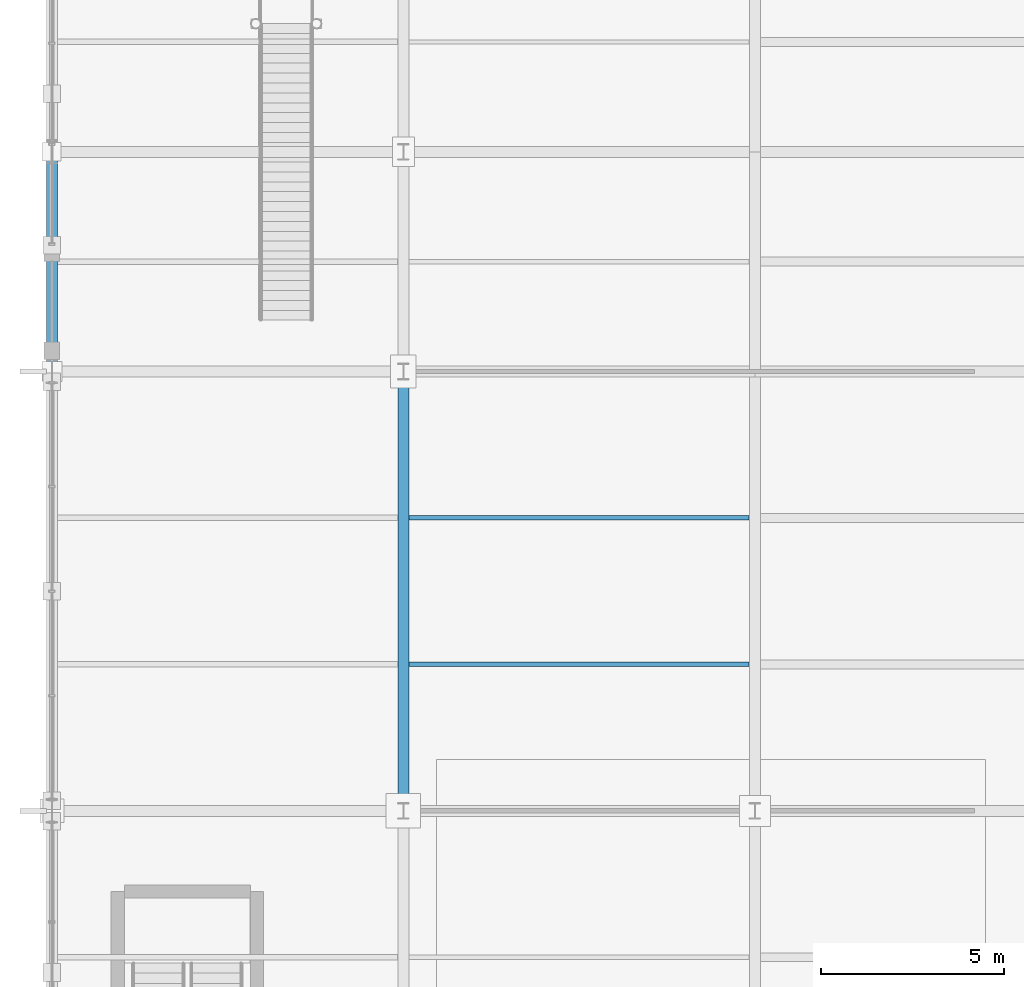
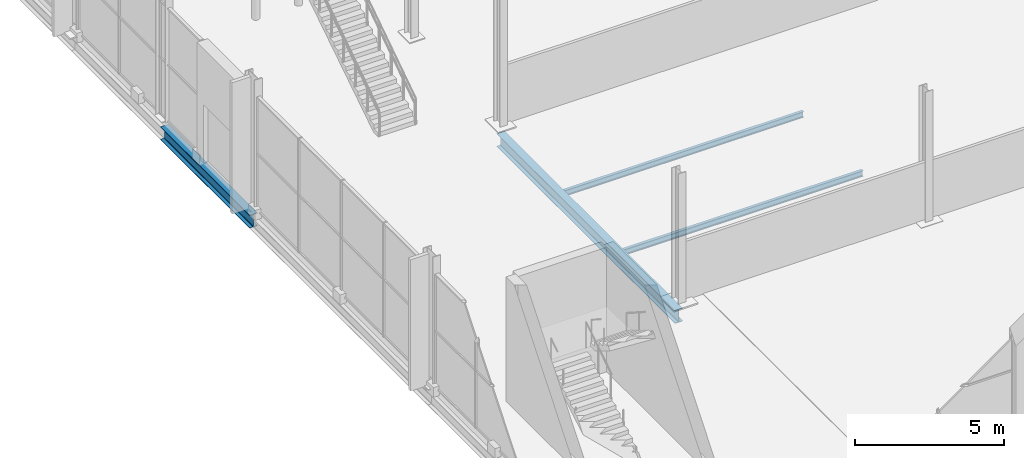
# One storey, part 47 of 196: 4 beams.
"""IFC4 building model written with IfcOpenShell, lengths in metres."""

import ifcopenshell
import ifcopenshell.guid

model = None  # the IFC model being written
_history = None  # IfcOwnerHistory: only IFC2X3 demands one
_inside = {}  # id of a spatial element -> (the spatial element, [elements in it])
_under = {}  # id of a project, library or spatial element -> (it, [spatial elements below it])
_declared = {}  # id of a project -> (the project, [libraries it declares])
_typed = {}  # id of a type object -> (the type object, [elements of that type])
_made_of = {}  # id of a material, layer set ... -> (it, [elements and type objects made of it])


def new_model(schema):
    """Start an empty IFC model of exactly this schema.

    Asked for "IFC4X3", IfcOpenShell would pick the latest addendum, in which some entities
    have other attributes; the version numbers below select the first issue.
    IFC2X3 requires an IfcOwnerHistory on every rooted entity: one is made here for all.
    """
    global model, _history
    if schema == "IFC4X3":
        model = ifcopenshell.file(schema_version=(4, 3, 0, 0))
    else:
        model = ifcopenshell.file(schema=schema)
    _inside.clear()
    _under.clear()
    _declared.clear()
    _typed.clear()
    _made_of.clear()
    _history = None
    if model.schema == "IFC2X3":
        org = make("IfcOrganization", Name="unknown")
        user = make(
            "IfcPersonAndOrganization",
            ThePerson=make("IfcPerson", FamilyName="unknown"),
            TheOrganization=org,
        )
        app = make(
            "IfcApplication",
            ApplicationDeveloper=org,
            Version="unknown",
            ApplicationFullName="unknown",
            ApplicationIdentifier="unknown",
        )
        _history = make(
            "IfcOwnerHistory",
            OwningUser=user,
            OwningApplication=app,
            ChangeAction="ADDED",
            CreationDate=0,
        )
    return model


def make(cls, **values):
    """One entity of the class cls with the attributes given. An attribute that is None is left unset."""
    return model.create_entity(
        cls, **{name: value for name, value in values.items() if value is not None}
    )


def rooted(cls, **values):
    """An entity with a GlobalId (a new one), such as an element, a storey or a relation."""
    return make(cls, GlobalId=ifcopenshell.guid.new(), OwnerHistory=_history, **values)


def si_unit(unit_type, name, prefix=None):
    """IfcSIUnit, for example si_unit("LENGTHUNIT", "METRE", prefix="MILLI")."""
    return make("IfcSIUnit", UnitType=unit_type, Prefix=prefix, Name=name)


def assignment(units):
    """IfcUnitAssignment: the units of a project."""
    return None if units is None else make("IfcUnitAssignment", Units=units)


def point(xyz):
    """IfcCartesianPoint."""
    return None if xyz is None else make("IfcCartesianPoint", Coordinates=xyz)


def direction(xyz):
    """IfcDirection."""
    return None if xyz is None else make("IfcDirection", DirectionRatios=xyz)


def frame(location, z_axis=None, x_axis=None):
    """IfcAxis2Placement3D, a coordinate frame: its origin and axes. An axis left out is left unset."""
    return make(
        "IfcAxis2Placement3D",
        Location=point(location),
        Axis=direction(z_axis),
        RefDirection=direction(x_axis),
    )


def frame_2d(location, x_axis=None):
    """IfcAxis2Placement2D, a coordinate frame in the plane: its origin and x axis."""
    return make(
        "IfcAxis2Placement2D", Location=point(location), RefDirection=direction(x_axis)
    )


def origin():
    """The frame at (0, 0, 0) with its axes left unset."""
    return frame((0.0, 0.0, 0.0))


def origin_2d():
    """The frame at (0, 0) in the plane with its x axis left unset."""
    return frame_2d((0.0, 0.0))


def place(relative_to, where):
    """IfcLocalPlacement: puts the frame where relative to a parent placement (None: the world)."""
    return make(
        "IfcLocalPlacement", PlacementRelTo=relative_to, RelativePlacement=where
    )


def context(
    kind, dimensions, precision=None, world=None, true_north=None, identifier=None
):
    """IfcGeometricRepresentationContext, for example the 3D "Model" context."""
    return make(
        "IfcGeometricRepresentationContext",
        ContextIdentifier=identifier,
        ContextType=kind,
        CoordinateSpaceDimension=dimensions,
        Precision=precision,
        WorldCoordinateSystem=world,
        TrueNorth=true_north,
    )


def subcontext(parent, identifier, kind, view, scale=None):
    """IfcGeometricRepresentationSubContext, for example "Body" below "Model"."""
    return make(
        "IfcGeometricRepresentationSubContext",
        ContextIdentifier=identifier,
        ContextType=kind,
        ParentContext=parent,
        TargetScale=scale,
        TargetView=view,
    )


def project(units=None, contexts=None):
    """IfcProject with its units and contexts."""
    return rooted(
        "IfcProject",
        Name="project",
        RepresentationContexts=contexts,
        UnitsInContext=assignment(units),
    )


def spatial(cls, under=None, at=None, **own):
    """A site, building, storey or space (cls), placed at a placement, below another one or the project."""
    s = rooted(cls, ObjectPlacement=at, **own)
    if under is not None:
        _under.setdefault(under.id(), (under, []))[1].append(s)
    return s


def profile(cls, at=None, kind="AREA", **sizes):
    """A parametric profile (cls). Its sizes go by their IFC names, for example OverallWidth=200.0."""
    return make(cls, ProfileType=kind, Position=at, **sizes)


def i_section(**sizes):
    """IfcIShapeProfileDef."""
    return profile("IfcIShapeProfileDef", **sizes)


def extrude(swept, where, along, depth):
    """IfcExtrudedAreaSolid: the profile swept, set in the frame where, extruded along a direction by depth."""
    return make(
        "IfcExtrudedAreaSolid",
        SweptArea=swept,
        Position=where,
        ExtrudedDirection=direction(along),
        Depth=depth,
    )


def shape(context_of_items, identifier, shape_type, items):
    """IfcShapeRepresentation: the items that make up one representation, for example the "Body"."""
    return make(
        "IfcShapeRepresentation",
        ContextOfItems=context_of_items,
        RepresentationIdentifier=identifier,
        RepresentationType=shape_type,
        Items=items,
    )


def material(Name=None, Category=None):
    """IfcMaterial."""
    return make("IfcMaterial", Name=Name, Category=Category)


def material_profile(
    of_material, cross_section, Name=None, Category=None, Priority=None
):
    """IfcMaterialProfile: a cross section and its material."""
    return make(
        "IfcMaterialProfile",
        Name=Name,
        Material=of_material,
        Profile=cross_section,
        Priority=Priority,
        Category=Category,
    )


def profile_set(profiles, Name=None, composite=None):
    """IfcMaterialProfileSet."""
    return make(
        "IfcMaterialProfileSet",
        Name=Name,
        MaterialProfiles=profiles,
        CompositeProfile=composite,
    )


def made_of(thing, what):
    """Note that an element or type object is made of a material, layer set ...; save() writes the relation."""
    if what is not None:
        _made_of.setdefault(what.id(), (what, []))[1].append(thing)
    return thing


def type_object(cls, material=None, **own):
    """A type object (cls), such as IfcWallType, which elements share."""
    return made_of(rooted(cls, **own), material)


def element(
    cls,
    number,
    at=None,
    inside=None,
    cuts=None,
    type_object=None,
    material=None,
    context=None,
    identifier="Body",
    shape_type=None,
    held_by="IfcProductDefinitionShape",
    body=None,
    shapes=None,
    **own,
):
    """One element of the class cls, such as IfcWall. Its Tag is "e" and its number.

    at: its placement. inside: the storey or other place that contains it. cuts: it is an
    opening in that element (IfcRelVoidsElement). A single representation is given by context,
    identifier, shape_type and body (its items); several are given by shapes. held_by: the class
    of the entity that holds the representations. save() writes the other relations.
    """
    e = rooted(cls, Tag="e%d" % number, ObjectPlacement=at, **own)
    if body is not None:
        shapes = [shape(context, identifier, shape_type, body)]
    if shapes is not None:
        e.Representation = make(held_by, Representations=shapes)
    if inside is not None:
        _inside.setdefault(inside.id(), (inside, []))[1].append(e)
    if cuts is not None:
        rooted(
            "IfcRelVoidsElement", RelatingBuildingElement=cuts, RelatedOpeningElement=e
        )
    if type_object is not None:
        _typed.setdefault(type_object.id(), (type_object, []))[1].append(e)
    return made_of(e, material)


def aggregate(whole, parts):
    """IfcRelAggregates: a whole, such as a stair, and the parts it consists of."""
    return rooted("IfcRelAggregates", RelatingObject=whole, RelatedObjects=parts)


def save(model, path):
    """Write the relations noted so far, then the file.

    IfcRelAggregates (storeys below a building ...), IfcRelContainedInSpatialStructure (elements
    in a storey), IfcRelDefinesByType, IfcRelAssociatesMaterial and IfcRelDeclares: one each for
    every whole, place, type object, material and project.
    """
    for whole, parts in _under.values():
        aggregate(whole, parts)
    for where, things in _inside.values():
        rooted(
            "IfcRelContainedInSpatialStructure",
            RelatedElements=things,
            RelatingStructure=where,
        )
    for kind, things in _typed.values():
        rooted("IfcRelDefinesByType", RelatedObjects=things, RelatingType=kind)
    for what, things in _made_of.values():
        rooted("IfcRelAssociatesMaterial", RelatedObjects=things, RelatingMaterial=what)
    for by, libraries in _declared.values():
        rooted("IfcRelDeclares", RelatingContext=by, RelatedDefinitions=libraries)
    model.write(path)


model = new_model("IFC4")

# Units and contexts
model_context = context("Model", 3, precision=1e-05, world=origin(), true_north=direction((0.0, 1.0)))
body_context = subcontext(model_context, "Body", "Model", "MODEL_VIEW")
ifc_project = project(units=[si_unit("LENGTHUNIT", "METRE"), si_unit("AREAUNIT", "SQUARE_METRE"), si_unit("VOLUMEUNIT", "CUBIC_METRE"), si_unit("PLANEANGLEUNIT", "RADIAN"), si_unit("MASSUNIT", "GRAM", prefix="KILO")], contexts=[model_context])

# Site, building, storey
site_placement = place(None, origin())
site = spatial("IfcSite", under=ifc_project, at=site_placement, CompositionType="ELEMENT")
building_placement = place(site_placement, origin())
building = spatial("IfcBuilding", under=site, at=building_placement, Name="Merenkruunu Market Hall", CompositionType="ELEMENT")
storey_placement = place(building_placement, origin())
storey = spatial("IfcBuildingStorey", under=building, at=storey_placement, Name="L00", CompositionType="ELEMENT", Elevation=0.0)

# Beams
ifc_material = material(Name="Steel S355J2", Category="steel")
ifc_material_profile_1 = material_profile(ifc_material, i_section(OverallWidth=0.300048828125, OverallDepth=0.5400390625, WebThickness=0.012451171875, FlangeThickness=0.02392578125, FilletRadius=0.027099609375, at=origin_2d()), Name="HEA 550")
ifc_profile_set_1 = profile_set([ifc_material_profile_1], Name="Steel S355J2")
beam_type_1 = type_object("IfcBeamType", Name="Primary Floor Girder B06", PredefinedType="BEAM", material=ifc_profile_set_1)
beam_1_placement = place(storey_placement, frame((0.0, 39.60009765625, -0.610107421875), z_axis=(0.0, 1.0, 0.0), x_axis=(-1.0, 0.0, 0.0)))
element("IfcBeam", 1, at=beam_1_placement, inside=storey, type_object=beam_type_1, Name="BM-L00-B06-0138", PredefinedType="BEAM", context=body_context, shape_type="SweptSolid", body=[
    extrude(i_section(OverallWidth=0.300048828125, OverallDepth=0.5400390625, WebThickness=0.012451171875, FlangeThickness=0.02392578125, FilletRadius=0.027099609375, at=origin_2d()), origin(), (0.0, 0.0, 1.0), 6.0),
])
beam_2_placement = place(storey_placement, frame((9.60009765625, 27.60009765625, -0.610107421875), z_axis=(0.0, 1.0, 0.0), x_axis=(-1.0, 0.0, 0.0)))
element("IfcBeam", 2, at=beam_2_placement, inside=storey, type_object=beam_type_1, Name="BM-L00-B06-0146", PredefinedType="BEAM", context=body_context, shape_type="SweptSolid", body=[
    extrude(i_section(OverallWidth=0.300048828125, OverallDepth=0.5400390625, WebThickness=0.012451171875, FlangeThickness=0.02392578125, FilletRadius=0.027099609375, at=origin_2d()), origin(), (0.0, 0.0, 1.0), 12.0),
])
ifc_material_profile_2 = material_profile(ifc_material, i_section(OverallWidth=0.1201171875, OverallDepth=0.239990234375, WebThickness=0.006103515625, FlangeThickness=0.009765625, FilletRadius=0.014892578125, at=origin_2d()), Name="IPE 240")
ifc_profile_set_2 = profile_set([ifc_material_profile_2], Name="Steel S355J2")
beam_type_2 = type_object("IfcBeamType", Name="Secondary Floor Joist J05", PredefinedType="JOIST", material=ifc_profile_set_2)
for number, where, z_axis, x_axis, name in (
    (3, (9.7529296875, 31.60009765625, -0.4599609375), (1.0, 0.0, 0.0), (0.0, 1.0, 0.0), "BM-L00-J05-0292"),
    (4, (9.7529296875, 35.60009765625, -0.4599609375), (1.0, 0.0, 0.0), (0.0, 1.0, 0.0), "BM-L00-J05-0293"),
):
    element("IfcBeam", number, at=place(storey_placement, frame(where, z_axis=z_axis, x_axis=x_axis)), inside=storey, type_object=beam_type_2, Name=name, PredefinedType="JOIST", context=body_context, shape_type="SweptSolid", body=[
        extrude(i_section(OverallWidth=0.1201171875, OverallDepth=0.239990234375, WebThickness=0.006103515625, FlangeThickness=0.009765625, FilletRadius=0.014892578125, at=origin_2d()), origin(), (0.0, 0.0, 1.0), 9.294189453125),
    ])

save(model, "model.ifc")
